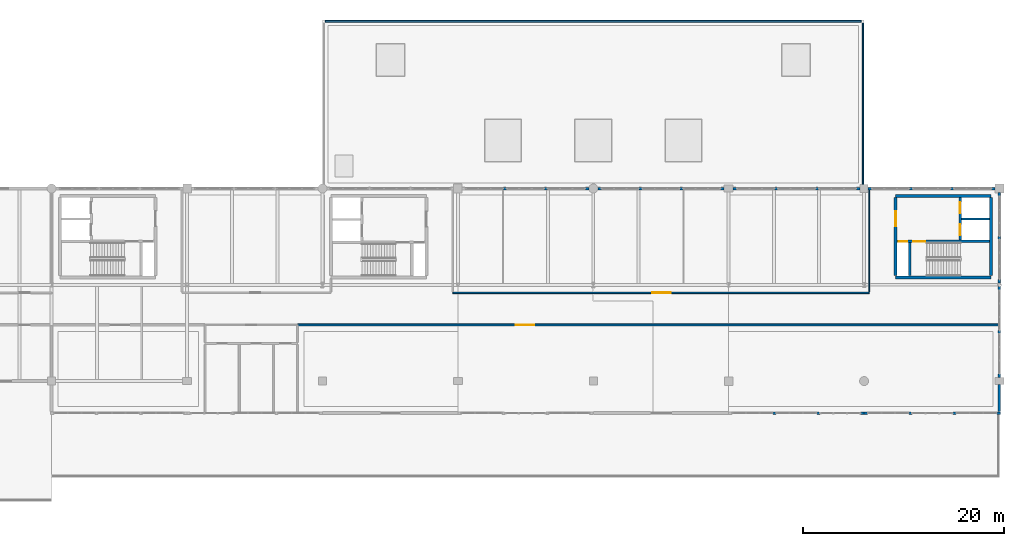
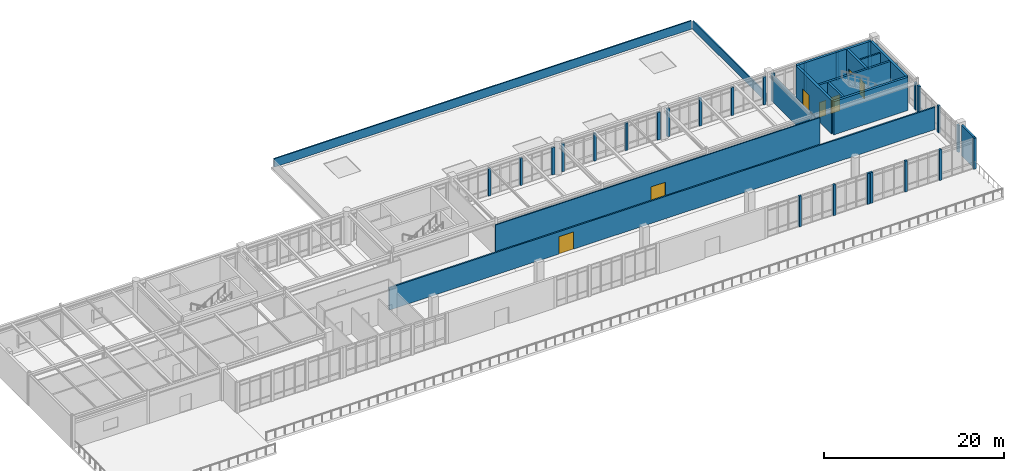
# One storey, part 49 of 55: 42 walls, 7 doors, 7 openings.
"""IFC4 building model written with IfcOpenShell, lengths in metres."""

from ifc_helpers import new_model, si_unit, direction, frame, frame_2d, origin, place, context, subcontext, project, spatial, rectangle, extrude, material, layer, layer_set, type_object, element, fill, save


model = new_model("IFC4")

# Units and contexts
model_context = context("Model", 3, precision=1e-05, world=origin(), true_north=direction((0.0, 1.0)))
body_context = subcontext(model_context, "Body", "Model", "MODEL_VIEW")
ifc_project = project(units=[si_unit("LENGTHUNIT", "METRE"), si_unit("AREAUNIT", "SQUARE_METRE"), si_unit("VOLUMEUNIT", "CUBIC_METRE"), si_unit("PLANEANGLEUNIT", "RADIAN"), si_unit("MASSUNIT", "GRAM", prefix="KILO")], contexts=[model_context])

# Site, building, storey
site_placement = place(None, origin())
site = spatial("IfcSite", under=ifc_project, at=site_placement, CompositionType="ELEMENT")
building_placement = place(site_placement, origin())
building = spatial("IfcBuilding", under=site, at=building_placement, Name="Fikremerkos Civic Library", CompositionType="ELEMENT")
storey_placement = place(building_placement, frame((0.0, 0.0, 18.89990234375)))
storey = spatial("IfcBuildingStorey", under=building, at=storey_placement, Name="L04", CompositionType="ELEMENT", Elevation=18.89990234375)

# Walls
ifc_material_1 = material(Name="Concrete C40/50", Category="concrete")
ifc_layer_1 = layer(ifc_material_1, 0.300048828125, Name="Concrete C40/50")
ifc_layer_set_1 = layer_set([ifc_layer_1], Name="Concrete C40/50")
wall_type_1 = type_object("IfcWallType", Name="Core shear wall CSW-01 300", PredefinedType="SHEAR", material=ifc_layer_set_1)
for number, where, z_axis, x_axis, name in (
    (1, (112.85009765625, 22.35009765625, 0.0), (0.0, 0.0, 1.0), (-1.0, 0.0, 0.0), "Core K2 south shear wall L04"),
    (2, (103.35009765625, 30.449951171875, 0.0), (0.0, 0.0, 1.0), (1.0, 0.0, 0.0), "Core K2 north shear wall L04"),
):
    element("IfcWall", number, at=place(storey_placement, frame(where, z_axis=z_axis, x_axis=x_axis)), inside=storey, type_object=wall_type_1, Name=name, PredefinedType="SHEAR", context=body_context, shape_type="SweptSolid", body=[
        extrude(rectangle(XDim=9.5, YDim=0.300048828125, at=frame_2d((4.75, 0.0))), origin(), (0.0, 0.0, 1.0), 4.5),
    ])

# Wall, opening, door
wall_1_placement = place(storey_placement, frame((103.35009765625, 22.501953125, 0.0), z_axis=(0.0, 0.0, 1.0), x_axis=(0.0, 1.0, 0.0)))
wall_1 = element("IfcWall", 3, at=wall_1_placement, inside=storey, type_object=wall_type_1, Name="Core K2 west shear wall L04", PredefinedType="SHEAR", context=body_context, shape_type="SweptSolid", body=[
    extrude(rectangle(XDim=7.796142578125, YDim=0.300048828125, at=frame_2d((3.89794921875, 0.0))), origin(), (0.0, 0.0, 1.0), 4.5),
])
opening_1_placement = place(wall_1_placement, frame((4.947998046875, 0.0, 0.0)))
opening_1 = element("IfcOpeningElement", 4, at=opening_1_placement, cuts=wall_1, Name="Opening D071", PredefinedType="OPENING", context=body_context, shape_type="SweptSolid", body=[
    extrude(rectangle(XDim=1.5, YDim=2.25, at=frame_2d((0.75, 1.125))), frame((0.0, 0.159912109375, 0.0), z_axis=(0.0, -1.0, 0.0), x_axis=(1.0, 0.0, 0.0)), (0.0, 0.0, 1.0), 0.320068359375),
])
ifc_material_2 = material(Name="Hardwood timber and acoustic glass", Category="wood")
door_type_1 = type_object("IfcDoorType", Name="Pedestrian door DT-05 1500x2250", OperationType="NOTDEFINED", PredefinedType="DOOR", material=ifc_material_2)
door_1_placement = place(opening_1_placement, origin())
door_1 = element("IfcDoor", 5, at=door_1_placement, inside=storey, type_object=door_type_1, Name="Core K2 lobby fire door D071 L04", OperationType="SINGLE_SWING_LEFT", OverallHeight=2.25, OverallWidth=1.5, PredefinedType="DOOR", context=body_context, shape_type="SweptSolid", body=[
    extrude(rectangle(XDim=1.5, YDim=2.25, at=frame_2d((0.75, 1.125))), frame((0.0, 0.032470703125, 0.0), z_axis=(0.0, -1.0, 0.0), x_axis=(1.0, 0.0, 0.0)), (0.0, 0.0, 1.0), 0.06494140625),
])
fill(opening_1, door_1)

# Wall
wall_2_placement = place(storey_placement, frame((112.85009765625, 30.298095703125, 0.0), z_axis=(0.0, 0.0, 1.0), x_axis=(0.0, -1.0, 0.0)))
element("IfcWall", 6, at=wall_2_placement, inside=storey, type_object=wall_type_1, Name="Core K2 east shear wall L04", PredefinedType="SHEAR", context=body_context, shape_type="SweptSolid", body=[
    extrude(rectangle(XDim=7.796142578125, YDim=0.300048828125, at=frame_2d((3.89794921875, 0.0))), origin(), (0.0, 0.0, 1.0), 4.5),
])

# Wall, openings, doors
ifc_layer_2 = layer(ifc_material_1, 0.260009765625, Name="Concrete C40/50")
ifc_layer_set_2 = layer_set([ifc_layer_2], Name="Concrete C40/50")
wall_type_2 = type_object("IfcWallType", Name="Core shear wall CSW-02 260", PredefinedType="SHEAR", material=ifc_layer_set_2)
wall_3_placement = place(storey_placement, frame((103.501953125, 25.929931640625, 0.0), z_axis=(0.0, 0.0, 1.0), x_axis=(1.0, 0.0, 0.0)))
wall_3 = element("IfcWall", 7, at=wall_3_placement, inside=storey, type_object=wall_type_2, Name="Core K2 stair compartment wall L04", PredefinedType="SHEAR", context=body_context, shape_type="SweptSolid", body=[
    extrude(rectangle(XDim=9.196044921875, YDim=0.260009765625, at=frame_2d((4.59814453125, 0.0))), origin(), (0.0, 0.0, 1.0), 4.5),
])
opening_2_placement = place(wall_3_placement, frame((1.597900390625, 0.0, 0.0)))
opening_2 = element("IfcOpeningElement", 8, at=opening_2_placement, cuts=wall_3, Name="Opening D072", PredefinedType="OPENING", context=body_context, shape_type="SweptSolid", body=[
    extrude(rectangle(XDim=1.199951171875, YDim=2.199951171875, at=frame_2d((0.60009765625, 1.10009765625))), frame((0.0, 0.139892578125, 0.0), z_axis=(0.0, -1.0, 0.0), x_axis=(1.0, 0.0, 0.0)), (0.0, 0.0, 1.0), 0.280029296875),
])
opening_3_placement = place(wall_3_placement, frame((0.14306640625, 0.0, 0.0)))
opening_3 = element("IfcOpeningElement", 9, at=opening_3_placement, cuts=wall_3, Name="Opening D073", PredefinedType="OPENING", context=body_context, shape_type="SweptSolid", body=[
    extrude(rectangle(XDim=0.85009765625, YDim=2.050048828125, at=frame_2d((0.425048828125, 1.02490234375))), frame((0.0, 0.139892578125, 0.0), z_axis=(0.0, -1.0, 0.0), x_axis=(1.0, 0.0, 0.0)), (0.0, 0.0, 1.0), 0.280029296875),
])
door_type_2 = type_object("IfcDoorType", Name="Pedestrian door DT-06 1200x2200", OperationType="NOTDEFINED", PredefinedType="DOOR", material=ifc_material_2)
door_2_placement = place(opening_2_placement, origin())
door_2 = element("IfcDoor", 10, at=door_2_placement, inside=storey, type_object=door_type_2, Name="Core K2 stair fire door D072 L04", OperationType="SINGLE_SWING_RIGHT", OverallHeight=2.199951171875, OverallWidth=1.199951171875, PredefinedType="DOOR", context=body_context, shape_type="SweptSolid", body=[
    extrude(rectangle(XDim=1.199951171875, YDim=2.199951171875, at=frame_2d((0.60009765625, 1.10009765625))), frame((0.0, 0.032470703125, 0.0), z_axis=(0.0, -1.0, 0.0), x_axis=(1.0, 0.0, 0.0)), (0.0, 0.0, 1.0), 0.06494140625),
])
fill(opening_2, door_2)
door_type_3 = type_object("IfcDoorType", Name="Pedestrian door DT-08 850x2050", OperationType="NOTDEFINED", PredefinedType="DOOR", material=ifc_material_2)
door_3_placement = place(opening_3_placement, origin())
door_3 = element("IfcDoor", 11, at=door_3_placement, inside=storey, type_object=door_type_3, Name="Core K2 riser access fire door D073 L04", OperationType="SINGLE_SWING_LEFT", OverallHeight=2.050048828125, OverallWidth=0.85009765625, PredefinedType="DOOR", context=body_context, shape_type="SweptSolid", body=[
    extrude(rectangle(XDim=0.85009765625, YDim=2.050048828125, at=frame_2d((0.425048828125, 1.02490234375))), frame((0.0, 0.032470703125, 0.0), z_axis=(0.0, -1.0, 0.0), x_axis=(1.0, 0.0, 0.0)), (0.0, 0.0, 1.0), 0.06494140625),
])
fill(opening_3, door_3)

# Wall
wall_4_placement = place(storey_placement, frame((104.77001953125, 22.501953125, 0.0), z_axis=(0.0, 0.0, 1.0), x_axis=(0.0, 1.0, 0.0)))
element("IfcWall", 12, at=wall_4_placement, inside=storey, type_object=wall_type_2, Name="Core K2 stair-riser shear wall L04", PredefinedType="SHEAR", context=body_context, shape_type="SweptSolid", body=[
    extrude(rectangle(XDim=3.296142578125, YDim=0.260009765625, at=frame_2d((1.64794921875, 0.0))), origin(), (0.0, 0.0, 1.0), 4.5),
])

# Wall, openings, doors
wall_5_placement = place(storey_placement, frame((109.77001953125, 26.06201171875, 0.0), z_axis=(0.0, 0.0, 1.0), x_axis=(0.0, 1.0, 0.0)))
wall_5 = element("IfcWall", 13, at=wall_5_placement, inside=storey, type_object=wall_type_2, Name="Core K2 lift shaft front wall L04", PredefinedType="SHEAR", context=body_context, shape_type="SweptSolid", body=[
    extrude(rectangle(XDim=4.236083984375, YDim=0.260009765625, at=frame_2d((2.1181640625, 0.0))), origin(), (0.0, 0.0, 1.0), 4.5),
])
opening_4_placement = place(wall_5_placement, frame((0.468017578125, 0.0, 0.0)))
opening_4 = element("IfcOpeningElement", 14, at=opening_4_placement, cuts=wall_5, Name="Opening LD29", PredefinedType="OPENING", context=body_context, shape_type="SweptSolid", body=[
    extrude(rectangle(XDim=1.10009765625, YDim=2.14990234375, at=frame_2d((0.550048828125, 1.074951171875))), frame((0.0, 0.139892578125, 0.0), z_axis=(0.0, -1.0, 0.0), x_axis=(1.0, 0.0, 0.0)), (0.0, 0.0, 1.0), 0.280029296875),
])
opening_5_placement = place(wall_5_placement, frame((2.66796875, 0.0, 0.0)))
opening_5 = element("IfcOpeningElement", 15, at=opening_5_placement, cuts=wall_5, Name="Opening LD30", PredefinedType="OPENING", context=body_context, shape_type="SweptSolid", body=[
    extrude(rectangle(XDim=1.10009765625, YDim=2.14990234375, at=frame_2d((0.550048828125, 1.074951171875))), frame((0.0, 0.139892578125, 0.0), z_axis=(0.0, -1.0, 0.0), x_axis=(1.0, 0.0, 0.0)), (0.0, 0.0, 1.0), 0.280029296875),
])
ifc_material_3 = material(Name="Brushed stainless steel", Category="steel")
door_type_4 = type_object("IfcDoorType", Name="Lift landing door LDT-01 1100x2150", OperationType="NOTDEFINED", PredefinedType="DOOR", material=ifc_material_3)
door_4_placement = place(opening_4_placement, origin())
door_4 = element("IfcDoor", 16, at=door_4_placement, inside=storey, type_object=door_type_4, Name="Lift LF03 sliding landing door LD29 L04", OperationType="SLIDING_TO_LEFT", OverallHeight=2.14990234375, OverallWidth=1.10009765625, PredefinedType="DOOR", context=body_context, shape_type="SweptSolid", body=[
    extrude(rectangle(XDim=1.10009765625, YDim=2.14990234375, at=frame_2d((0.550048828125, 1.074951171875))), frame((0.0, 0.032470703125, 0.0), z_axis=(0.0, -1.0, 0.0), x_axis=(1.0, 0.0, 0.0)), (0.0, 0.0, 1.0), 0.06494140625),
])
fill(opening_4, door_4)
door_5_placement = place(opening_5_placement, origin())
door_5 = element("IfcDoor", 17, at=door_5_placement, inside=storey, type_object=door_type_4, Name="Lift LF04 sliding landing door LD30 L04", OperationType="SLIDING_TO_LEFT", OverallHeight=2.14990234375, OverallWidth=1.10009765625, PredefinedType="DOOR", context=body_context, shape_type="SweptSolid", body=[
    extrude(rectangle(XDim=1.10009765625, YDim=2.14990234375, at=frame_2d((0.550048828125, 1.074951171875))), frame((0.0, 0.032470703125, 0.0), z_axis=(0.0, -1.0, 0.0), x_axis=(1.0, 0.0, 0.0)), (0.0, 0.0, 1.0), 0.06494140625),
])
fill(opening_5, door_5)

# Walls
ifc_material_4 = material(Name="Precast concrete C40/50", Category="concrete")
ifc_layer_3 = layer(ifc_material_4, 0.25, Name="Precast concrete C40/50")
ifc_layer_set_3 = layer_set([ifc_layer_3], Name="Precast concrete C40/50")
wall_type_3 = type_object("IfcWallType", Name="Exterior solid wall ESW-05 250", PredefinedType="SOLIDWALL", material=ifc_layer_set_3)
wall_6_placement = place(storey_placement, frame((113.699951171875, 30.777099609375, 0.0), z_axis=(0.0, 0.0, 1.0), x_axis=(0.0, -1.0, 0.0)))
element("IfcWall", 18, at=wall_6_placement, inside=storey, type_object=wall_type_3, Name="Exterior facade pier ESW-05 #603", PredefinedType="SOLIDWALL", context=body_context, shape_type="SweptSolid", body=[
    extrude(rectangle(XDim=0.35009765625, YDim=0.25, at=frame_2d((0.175048828125, 0.0))), origin(), (0.0, 0.0, 1.0), 3.630126953125),
])
wall_7_placement = place(storey_placement, frame((113.699951171875, 22.125732421875, 0.0), z_axis=(0.0, 0.0, 1.0), x_axis=(0.0, -1.0, 0.0)))
element("IfcWall", 19, at=wall_7_placement, inside=storey, type_object=wall_type_3, Name="Exterior facade pier ESW-05 #604", PredefinedType="SOLIDWALL", context=body_context, shape_type="SweptSolid", body=[
    extrude(rectangle(XDim=0.349853515625, YDim=0.25, at=frame_2d((0.1748046875, 0.0))), origin(), (0.0, 0.0, 1.0), 3.630126953125),
])
wall_8_placement = place(storey_placement, frame((113.699951171875, 26.426513671875, 0.0), z_axis=(0.0, 0.0, 1.0), x_axis=(0.0, -1.0, 0.0)))
element("IfcWall", 20, at=wall_8_placement, inside=storey, type_object=wall_type_3, Name="Exterior facade mullion pier ESW-05 #605", PredefinedType="SOLIDWALL", context=body_context, shape_type="SweptSolid", body=[
    extrude(rectangle(XDim=0.300048828125, YDim=0.25, at=frame_2d((0.14990234375, 0.0))), origin(), (0.0, 0.0, 1.0), 3.630126953125),
])
for number, where, z_axis, x_axis, name in (
    (21, (113.699951171875, 21.42431640625, 0.0), (0.0, 0.0, 1.0), (0.0, -1.0, 0.0), "Exterior facade pier ESW-05 #606"),
    (22, (113.699951171875, 12.697998046875, 0.0), (0.0, 0.0, 1.0), (0.0, -1.0, 0.0), "Exterior facade pier ESW-05 #607"),
):
    element("IfcWall", number, at=place(storey_placement, frame(where, z_axis=z_axis, x_axis=x_axis)), inside=storey, type_object=wall_type_3, Name=name, PredefinedType="SOLIDWALL", context=body_context, shape_type="SweptSolid", body=[
        extrude(rectangle(XDim=0.35009765625, YDim=0.25, at=frame_2d((0.175048828125, 0.0))), origin(), (0.0, 0.0, 1.0), 3.630126953125),
    ])
wall_9_placement = place(storey_placement, frame((113.699951171875, 17.0361328125, 0.0), z_axis=(0.0, 0.0, 1.0), x_axis=(0.0, -1.0, 0.0)))
element("IfcWall", 23, at=wall_9_placement, inside=storey, type_object=wall_type_3, Name="Exterior facade mullion pier ESW-05 #608", PredefinedType="SOLIDWALL", context=body_context, shape_type="SweptSolid", body=[
    extrude(rectangle(XDim=0.300048828125, YDim=0.25, at=frame_2d((0.14990234375, 0.0))), origin(), (0.0, 0.0, 1.0), 3.630126953125),
])
wall_10_placement = place(storey_placement, frame((113.699951171875, 11.652099609375, 0.0), z_axis=(0.0, 0.0, 1.0), x_axis=(0.0, -1.0, 0.0)))
element("IfcWall", 24, at=wall_10_placement, inside=storey, type_object=wall_type_3, Name="Exterior solid wall ESW-05 L04 #609", PredefinedType="SOLIDWALL", context=body_context, shape_type="SweptSolid", body=[
    extrude(rectangle(XDim=2.672119140625, YDim=0.25, at=frame_2d((1.3359375, 0.0))), origin(), (0.0, 0.0, 1.0), 4.16015625),
])
for number, where, z_axis, x_axis, name in (
    (25, (113.81005859375, 8.800048828125, 0.0), (0.0, 0.0, 1.0), (-1.0, 0.0, 0.0), "Exterior facade pier ESW-05 #610"),
    (26, (100.552001953125, 8.800048828125, 0.0), (0.0, 0.0, 1.0), (-1.0, 0.0, 0.0), "Exterior facade pier ESW-05 #611"),
):
    element("IfcWall", number, at=place(storey_placement, frame(where, z_axis=z_axis, x_axis=x_axis)), inside=storey, type_object=wall_type_3, Name=name, PredefinedType="SOLIDWALL", context=body_context, shape_type="SweptSolid", body=[
        extrude(rectangle(XDim=0.35009765625, YDim=0.25, at=frame_2d((0.175048828125, 0.0))), origin(), (0.0, 0.0, 1.0), 4.16015625),
    ])
wall_11_placement = place(storey_placement, frame((109.357421875, 8.800048828125, 0.0), z_axis=(0.0, 0.0, 1.0), x_axis=(-1.0, 0.0, 0.0)))
element("IfcWall", 27, at=wall_11_placement, inside=storey, type_object=wall_type_3, Name="Exterior facade mullion pier ESW-05 #612", PredefinedType="SOLIDWALL", context=body_context, shape_type="SweptSolid", body=[
    extrude(rectangle(XDim=0.300048828125, YDim=0.25, at=frame_2d((0.14990234375, 0.0))), origin(), (0.0, 0.0, 1.0), 4.16015625),
])
wall_12_placement = place(storey_placement, frame((104.95458984375, 8.800048828125, 0.0), z_axis=(0.0, 0.0, 1.0), x_axis=(-1.0, 0.0, 0.0)))
element("IfcWall", 28, at=wall_12_placement, inside=storey, type_object=wall_type_3, Name="Exterior facade mullion pier ESW-05 #613", PredefinedType="SOLIDWALL", context=body_context, shape_type="SweptSolid", body=[
    extrude(rectangle(XDim=0.2998046875, YDim=0.25, at=frame_2d((0.14990234375, 0.0))), origin(), (0.0, 0.0, 1.0), 4.16015625),
])
wall_13_placement = place(storey_placement, frame((100.197998046875, 8.800048828125, 0.0), z_axis=(0.0, 0.0, 1.0), x_axis=(-1.0, 0.0, 0.0)))
element("IfcWall", 29, at=wall_13_placement, inside=storey, type_object=wall_type_3, Name="Exterior facade pier ESW-05 #614", PredefinedType="SOLIDWALL", context=body_context, shape_type="SweptSolid", body=[
    extrude(rectangle(XDim=0.35009765625, YDim=0.25, at=frame_2d((0.175048828125, 0.0))), origin(), (0.0, 0.0, 1.0), 4.16015625),
])
wall_14_placement = place(storey_placement, frame((95.78271484375, 8.800048828125, 0.0), z_axis=(0.0, 0.0, 1.0), x_axis=(-1.0, 0.0, 0.0)))
element("IfcWall", 30, at=wall_14_placement, inside=storey, type_object=wall_type_3, Name="Exterior facade mullion pier ESW-05 #616", PredefinedType="SOLIDWALL", context=body_context, shape_type="SweptSolid", body=[
    extrude(rectangle(XDim=0.300048828125, YDim=0.25, at=frame_2d((0.14990234375, 0.0))), origin(), (0.0, 0.0, 1.0), 4.16015625),
])
wall_15_placement = place(storey_placement, frame((91.417236328125, 8.800048828125, 0.0), z_axis=(0.0, 0.0, 1.0), x_axis=(-1.0, 0.0, 0.0)))
element("IfcWall", 31, at=wall_15_placement, inside=storey, type_object=wall_type_3, Name="Exterior facade mullion pier ESW-05 #617", PredefinedType="SOLIDWALL", context=body_context, shape_type="SweptSolid", body=[
    extrude(rectangle(XDim=0.2998046875, YDim=0.25, at=frame_2d((0.14990234375, 0.0))), origin(), (0.0, 0.0, 1.0), 4.16015625),
])
wall_16_placement = place(storey_placement, frame((72.402099609375, 31.199951171875, 0.0), z_axis=(0.0, 0.0, 1.0), x_axis=(1.0, 0.0, 0.0)))
element("IfcWall", 32, at=wall_16_placement, inside=storey, type_object=wall_type_3, Name="Exterior facade pier ESW-05 #652", PredefinedType="SOLIDWALL", context=body_context, shape_type="SweptSolid", body=[
    extrude(rectangle(XDim=0.349853515625, YDim=0.25, at=frame_2d((0.1748046875, 0.0))), origin(), (0.0, 0.0, 1.0), 3.690185546875),
])
for number, where, z_axis, x_axis, name in (
    (33, (64.249267578125, 31.199951171875, 0.0), (0.0, 0.0, 1.0), (1.0, 0.0, 0.0), "Exterior facade mullion pier ESW-05 #653"),
    (34, (68.32568359375, 31.199951171875, 0.0), (0.0, 0.0, 1.0), (1.0, 0.0, 0.0), "Exterior facade mullion pier ESW-05 #654"),
):
    element("IfcWall", number, at=place(storey_placement, frame(where, z_axis=z_axis, x_axis=x_axis)), inside=storey, type_object=wall_type_3, Name=name, PredefinedType="SOLIDWALL", context=body_context, shape_type="SweptSolid", body=[
        extrude(rectangle(XDim=0.300048828125, YDim=0.25, at=frame_2d((0.14990234375, 0.0))), origin(), (0.0, 0.0, 1.0), 3.690185546875),
    ])
wall_17_placement = place(storey_placement, frame((73.64794921875, 31.199951171875, 0.0), z_axis=(0.0, 0.0, 1.0), x_axis=(1.0, 0.0, 0.0)))
element("IfcWall", 35, at=wall_17_placement, inside=storey, type_object=wall_type_3, Name="Exterior facade pier ESW-05 #655", PredefinedType="SOLIDWALL", context=body_context, shape_type="SweptSolid", body=[
    extrude(rectangle(XDim=0.35009765625, YDim=0.25, at=frame_2d((0.175048828125, 0.0))), origin(), (0.0, 0.0, 1.0), 3.739990234375),
])
wall_18_placement = place(storey_placement, frame((85.902099609375, 31.199951171875, 0.0), z_axis=(0.0, 0.0, 1.0), x_axis=(1.0, 0.0, 0.0)))
element("IfcWall", 36, at=wall_18_placement, inside=storey, type_object=wall_type_3, Name="Exterior facade pier ESW-05 #656", PredefinedType="SOLIDWALL", context=body_context, shape_type="SweptSolid", body=[
    extrude(rectangle(XDim=0.349853515625, YDim=0.25, at=frame_2d((0.1748046875, 0.0))), origin(), (0.0, 0.0, 1.0), 3.739990234375),
])
wall_19_placement = place(storey_placement, frame((77.76611328125, 31.199951171875, 0.0), z_axis=(0.0, 0.0, 1.0), x_axis=(1.0, 0.0, 0.0)))
element("IfcWall", 37, at=wall_19_placement, inside=storey, type_object=wall_type_3, Name="Exterior facade mullion pier ESW-05 #657", PredefinedType="SOLIDWALL", context=body_context, shape_type="SweptSolid", body=[
    extrude(rectangle(XDim=0.2998046875, YDim=0.25, at=frame_2d((0.14990234375, 0.0))), origin(), (0.0, 0.0, 1.0), 3.739990234375),
])
wall_20_placement = place(storey_placement, frame((81.833984375, 31.199951171875, 0.0), z_axis=(0.0, 0.0, 1.0), x_axis=(1.0, 0.0, 0.0)))
element("IfcWall", 38, at=wall_20_placement, inside=storey, type_object=wall_type_3, Name="Exterior facade mullion pier ESW-05 #658", PredefinedType="SOLIDWALL", context=body_context, shape_type="SweptSolid", body=[
    extrude(rectangle(XDim=0.300048828125, YDim=0.25, at=frame_2d((0.14990234375, 0.0))), origin(), (0.0, 0.0, 1.0), 3.739990234375),
])
for number, where, z_axis, x_axis, name in (
    (39, (87.14794921875, 31.199951171875, 0.0), (0.0, 0.0, 1.0), (1.0, 0.0, 0.0), "Exterior facade pier ESW-05 #659"),
    (40, (99.451904296875, 31.199951171875, 0.0), (0.0, 0.0, 1.0), (1.0, 0.0, 0.0), "Exterior facade pier ESW-05 #660"),
):
    element("IfcWall", number, at=place(storey_placement, frame(where, z_axis=z_axis, x_axis=x_axis)), inside=storey, type_object=wall_type_3, Name=name, PredefinedType="SOLIDWALL", context=body_context, shape_type="SweptSolid", body=[
        extrude(rectangle(XDim=0.35009765625, YDim=0.25, at=frame_2d((0.175048828125, 0.0))), origin(), (0.0, 0.0, 1.0), 3.7900390625),
    ])
wall_21_placement = place(storey_placement, frame((91.28271484375, 31.199951171875, 0.0), z_axis=(0.0, 0.0, 1.0), x_axis=(1.0, 0.0, 0.0)))
element("IfcWall", 41, at=wall_21_placement, inside=storey, type_object=wall_type_3, Name="Exterior facade mullion pier ESW-05 #661", PredefinedType="SOLIDWALL", context=body_context, shape_type="SweptSolid", body=[
    extrude(rectangle(XDim=0.300048828125, YDim=0.25, at=frame_2d((0.14990234375, 0.0))), origin(), (0.0, 0.0, 1.0), 3.7900390625),
])
wall_22_placement = place(storey_placement, frame((95.367431640625, 31.199951171875, 0.0), z_axis=(0.0, 0.0, 1.0), x_axis=(1.0, 0.0, 0.0)))
element("IfcWall", 42, at=wall_22_placement, inside=storey, type_object=wall_type_3, Name="Exterior facade mullion pier ESW-05 #662", PredefinedType="SOLIDWALL", context=body_context, shape_type="SweptSolid", body=[
    extrude(rectangle(XDim=0.2998046875, YDim=0.25, at=frame_2d((0.14990234375, 0.0))), origin(), (0.0, 0.0, 1.0), 3.7900390625),
])
for number, where, z_axis, x_axis, name in (
    (43, (100.597900390625, 31.199951171875, 0.0), (0.0, 0.0, 1.0), (1.0, 0.0, 0.0), "Exterior facade pier ESW-05 #663"),
    (44, (112.927001953125, 31.199951171875, 0.0), (0.0, 0.0, 1.0), (1.0, 0.0, 0.0), "Exterior facade pier ESW-05 #664"),
):
    element("IfcWall", number, at=place(storey_placement, frame(where, z_axis=z_axis, x_axis=x_axis)), inside=storey, type_object=wall_type_3, Name=name, PredefinedType="SOLIDWALL", context=body_context, shape_type="SweptSolid", body=[
        extrude(rectangle(XDim=0.35009765625, YDim=0.25, at=frame_2d((0.175048828125, 0.0))), origin(), (0.0, 0.0, 1.0), 3.840087890625),
    ])
for number, where, z_axis, x_axis, name in (
    (45, (104.740966796875, 31.199951171875, 0.0), (0.0, 0.0, 1.0), (1.0, 0.0, 0.0), "Exterior facade mullion pier ESW-05 #665"),
    (46, (108.833984375, 31.199951171875, 0.0), (0.0, 0.0, 1.0), (1.0, 0.0, 0.0), "Exterior facade mullion pier ESW-05 #666"),
):
    element("IfcWall", number, at=place(storey_placement, frame(where, z_axis=z_axis, x_axis=x_axis)), inside=storey, type_object=wall_type_3, Name=name, PredefinedType="SOLIDWALL", context=body_context, shape_type="SweptSolid", body=[
        extrude(rectangle(XDim=0.300048828125, YDim=0.25, at=frame_2d((0.14990234375, 0.0))), origin(), (0.0, 0.0, 1.0), 3.840087890625),
    ])

# Wall, opening, door
ifc_material_5 = material(Name="Acoustic concrete blockwork", Category="masonry")
ifc_layer_4 = layer(ifc_material_5, 0.18994140625, Name="Acoustic concrete blockwork")
ifc_layer_set_4 = layer_set([ifc_layer_4], Name="Acoustic concrete blockwork")
wall_type_4 = type_object("IfcWallType", Name="Interior partition wall IPW-01 190", PredefinedType="PARTITIONING", material=ifc_layer_set_4)
wall_23_placement = place(storey_placement, frame((43.75, 17.60009765625, 0.0), z_axis=(0.0, 0.0, 1.0), x_axis=(1.0, 0.0, 0.0)))
wall_23 = element("IfcWall", 47, at=wall_23_placement, inside=storey, type_object=wall_type_4, Name="Interior wall IPW-01 L04 #240", PredefinedType="PARTITIONING", context=body_context, shape_type="SweptSolid", body=[
    extrude(rectangle(XDim=69.866943359375, YDim=0.18994140625, at=frame_2d((34.93359375, 0.0))), origin(), (0.0, 0.0, 1.0), 3.02001953125),
])
opening_6_placement = place(wall_23_placement, frame((21.72509765625, 0.0, 0.0)))
opening_6 = element("IfcOpeningElement", 48, at=opening_6_placement, cuts=wall_23, Name="Opening D248", PredefinedType="OPENING", context=body_context, shape_type="SweptSolid", body=[
    extrude(rectangle(XDim=1.85009765625, YDim=2.35009765625, at=frame_2d((0.925048828125, 1.175048828125))), frame((0.0, 0.10498046875, 0.0), z_axis=(0.0, -1.0, 0.0), x_axis=(1.0, 0.0, 0.0)), (0.0, 0.0, 1.0), 0.2099609375),
])
door_type_5 = type_object("IfcDoorType", Name="Pedestrian door DT-09 1850x2350", OperationType="NOTDEFINED", PredefinedType="DOOR", material=ifc_material_2)
door_6_placement = place(opening_6_placement, origin())
door_6 = element("IfcDoor", 49, at=door_6_placement, inside=storey, type_object=door_type_5, Name="Interior door D248 L04", OperationType="SINGLE_SWING_RIGHT", OverallHeight=2.35009765625, OverallWidth=1.85009765625, PredefinedType="DOOR", context=body_context, shape_type="SweptSolid", body=[
    extrude(rectangle(XDim=1.85009765625, YDim=2.35009765625, at=frame_2d((0.925048828125, 1.175048828125))), frame((0.0, 0.032470703125, 0.0), z_axis=(0.0, -1.0, 0.0), x_axis=(1.0, 0.0, 0.0)), (0.0, 0.0, 1.0), 0.06494140625),
])
fill(opening_6, door_6)

ifc_material_6 = material(Name="Acoustic gypsum stud partition")
ifc_layer_5 = layer(ifc_material_6, 0.14990234375, Name="Acoustic gypsum stud partition")
ifc_layer_set_5 = layer_set([ifc_layer_5], Name="Acoustic gypsum stud partition")
wall_type_5 = type_object("IfcWallType", Name="Interior partition wall IPW-02 150", PredefinedType="PARTITIONING", material=ifc_layer_set_5)
wall_24_placement = place(storey_placement, frame((59.199951171875, 20.800048828125, 0.0), z_axis=(0.0, 0.0, 1.0), x_axis=(1.0, 0.0, 0.0)))
wall_24 = element("IfcWall", 50, at=wall_24_placement, inside=storey, type_object=wall_type_5, Name="Interior wall IPW-02 L04 #241", PredefinedType="PARTITIONING", context=body_context, shape_type="SweptSolid", body=[
    extrude(rectangle(XDim=41.5, YDim=0.14990234375, at=frame_2d((20.75, 0.0))), origin(), (0.0, 0.0, 1.0), 4.16015625),
])
opening_7_placement = place(wall_24_placement, frame((19.875, 0.0, 0.0)))
opening_7 = element("IfcOpeningElement", 51, at=opening_7_placement, cuts=wall_24, Name="Opening D249", PredefinedType="OPENING", context=body_context, shape_type="SweptSolid", body=[
    extrude(rectangle(XDim=1.85009765625, YDim=2.35009765625, at=frame_2d((0.925048828125, 1.175048828125))), frame((0.0, 0.0849609375, 0.0), z_axis=(0.0, -1.0, 0.0), x_axis=(1.0, 0.0, 0.0)), (0.0, 0.0, 1.0), 0.169921875),
])
door_7_placement = place(opening_7_placement, origin())
door_7 = element("IfcDoor", 52, at=door_7_placement, inside=storey, type_object=door_type_5, Name="Interior door D249 L04", OperationType="SINGLE_SWING_LEFT", OverallHeight=2.35009765625, OverallWidth=1.85009765625, PredefinedType="DOOR", context=body_context, shape_type="SweptSolid", body=[
    extrude(rectangle(XDim=1.85009765625, YDim=2.35009765625, at=frame_2d((0.925048828125, 1.175048828125))), frame((0.0, 0.032470703125, 0.0), z_axis=(0.0, -1.0, 0.0), x_axis=(1.0, 0.0, 0.0)), (0.0, 0.0, 1.0), 0.06494140625),
])
fill(opening_7, door_7)

# Walls
ifc_material_7 = material(Name="Lightweight metal stud partition")
ifc_layer_6 = layer(ifc_material_7, 0.110107421875, Name="Lightweight metal stud partition")
ifc_layer_set_6 = layer_set([ifc_layer_6], Name="Lightweight metal stud partition")
wall_type_6 = type_object("IfcWallType", Name="Interior partition wall IPW-04 110", PredefinedType="PARTITIONING", material=ifc_layer_set_6)
wall_25_placement = place(storey_placement, frame((100.699951171875, 20.905029296875, 0.0), z_axis=(0.0, 0.0, 1.0), x_axis=(0.0, 1.0, 0.0)))
element("IfcWall", 53, at=wall_25_placement, inside=storey, type_object=wall_type_6, Name="Interior wall IPW-04 L04 #247", PredefinedType="PARTITIONING", context=body_context, shape_type="SweptSolid", body=[
    extrude(rectangle(XDim=10.166015625, YDim=0.110107421875, at=frame_2d((5.0830078125, 0.0))), origin(), (0.0, 0.0, 1.0), 3.630126953125),
])
ifc_layer_7 = layer(ifc_material_4, 0.159912109375, Name="Precast concrete C40/50")
ifc_layer_set_7 = layer_set([ifc_layer_7], Name="Precast concrete C40/50")
wall_type_7 = type_object("IfcWallType", Name="Roof parapet wall PAR-02 160", PredefinedType="PARAPET", material=ifc_layer_set_7)
wall_26_placement = place(storey_placement, frame((46.5, 47.8798828125, 0.0), z_axis=(0.0, 0.0, 1.0), x_axis=(1.0, 0.0, 0.0)))
element("IfcWall", 54, at=wall_26_placement, inside=storey, type_object=wall_type_7, Name="Roof parapet wall PAR-02 RF-L04-V4A N", PredefinedType="PARAPET", context=body_context, shape_type="SweptSolid", body=[
    extrude(rectangle(XDim=53.39990234375, YDim=0.159912109375, at=frame_2d((26.699951171875, 0.0))), origin(), (0.0, 0.0, 1.0), 1.150146484375),
])
wall_27_placement = place(storey_placement, frame((100.080078125, 31.5, 0.0), z_axis=(0.0, 0.0, 1.0), x_axis=(0.0, 1.0, 0.0)))
element("IfcWall", 55, at=wall_27_placement, inside=storey, type_object=wall_type_7, Name="Roof parapet wall PAR-02 RF-L04-V4A E", PredefinedType="PARAPET", context=body_context, shape_type="SweptSolid", body=[
    extrude(rectangle(XDim=16.199951171875, YDim=0.159912109375, at=frame_2d((8.10009765625, 0.0))), origin(), (0.0, 0.0, 1.0), 1.150146484375),
])
ifc_material_8 = material(Name="Concrete C35/45", Category="concrete")
ifc_layer_8 = layer(ifc_material_8, 0.199951171875, Name="Concrete C35/45")
ifc_layer_set_8 = layer_set([ifc_layer_8], Name="Concrete C35/45")
wall_type_8 = type_object("IfcWallType", Name="Service duct wall SDW-01 200", PredefinedType="PLUMBINGWALL", material=ifc_layer_set_8)
wall_28_placement = place(storey_placement, frame((109.902099609375, 28.179931640625, 0.0), z_axis=(0.0, 0.0, 1.0), x_axis=(1.0, 0.0, 0.0)))
element("IfcWall", 56, at=wall_28_placement, inside=storey, type_object=wall_type_8, Name="Core K2 inter-lift shaft wall L04", PredefinedType="PLUMBINGWALL", context=body_context, shape_type="SweptSolid", body=[
    extrude(rectangle(XDim=2.7958984375, YDim=0.199951171875, at=frame_2d((1.39794921875, 0.0))), origin(), (0.0, 0.0, 1.0), 4.239990234375),
])

save(model, "model.ifc")
